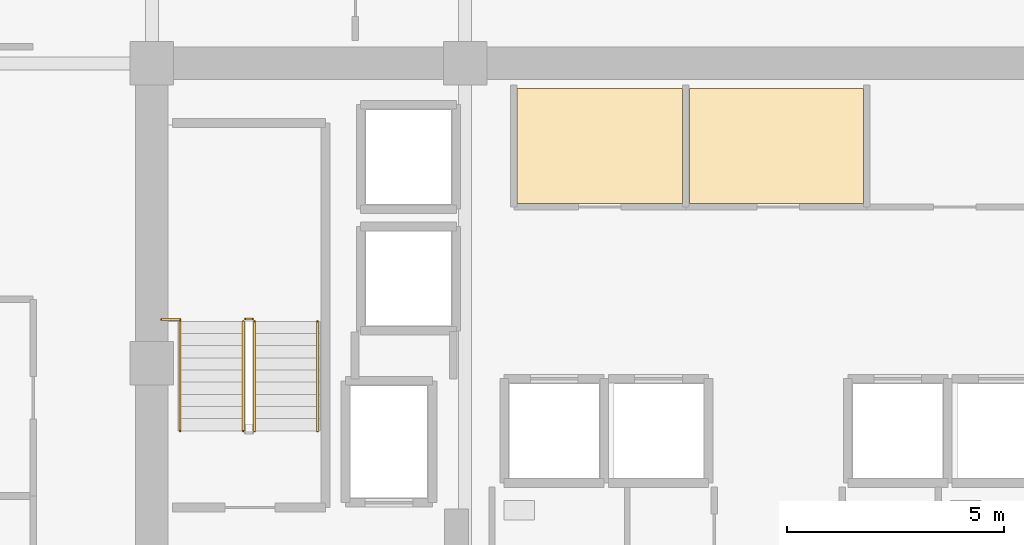
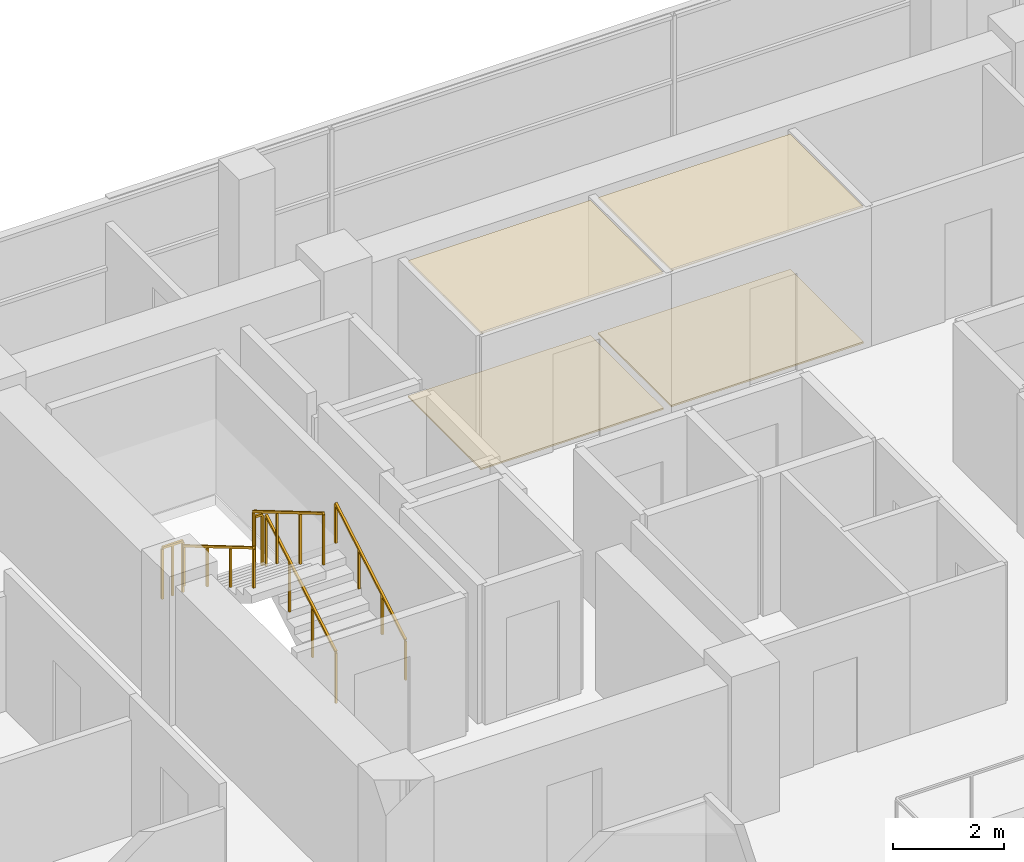
# One storey, part 20 of 22: 6 railings, 4 coverings.
"""IFC4 building model written with IfcOpenShell, lengths in metres."""

from ifc_helpers import new_model, si_unit, direction, frame, origin, origin_2d, place, context, subcontext, project, spatial, polyline, rectangle, outline, extrude, material, layer, layer_set, type_object, element, save


model = new_model("IFC4")

# Units and contexts
model_context = context("Model", 3, precision=1e-05, world=origin(), true_north=direction((0.0, 1.0)))
body_context = subcontext(model_context, "Body", "Model", "MODEL_VIEW")
ifc_project = project(units=[si_unit("LENGTHUNIT", "METRE"), si_unit("AREAUNIT", "SQUARE_METRE"), si_unit("VOLUMEUNIT", "CUBIC_METRE"), si_unit("PLANEANGLEUNIT", "RADIAN"), si_unit("MASSUNIT", "GRAM", prefix="KILO")], contexts=[model_context])

# Site, building, storey
site_placement = place(None, origin())
site = spatial("IfcSite", under=ifc_project, at=site_placement, CompositionType="ELEMENT")
building_placement = place(site_placement, origin())
building = spatial("IfcBuilding", under=site, at=building_placement, Name="Zarnakvel Exchange Tower", CompositionType="ELEMENT")
storey_placement = place(building_placement, frame((0.0, 0.0, 195.699951171875)))
storey = spatial("IfcBuildingStorey", under=building, at=storey_placement, Name="L55", CompositionType="ELEMENT", Elevation=195.699951171875)

# Coverings
ifc_material_1 = material(Name="Perforated Bronze Acoustic Metal Ceiling", Category="aluminium")
ifc_layer_1 = layer(ifc_material_1, 0.02001953125)
ifc_layer_set_1 = layer_set([ifc_layer_1], Name="Perforated Bronze Acoustic Metal Ceiling")
covering_type_1 = type_object("IfcCoveringType", Name="CLG-01", PredefinedType="CEILING", material=ifc_layer_set_1)
covering_1_placement = place(storey_placement, frame((0.0, 0.0, 2.989990234375)))
element("IfcCovering", 1, at=covering_1_placement, inside=storey, type_object=covering_type_1, Name="L55 Suspended Acoustic Ceiling (Clearing Records Office)", PredefinedType="CEILING", context=body_context, shape_type="SweptSolid", body=[
    extrude(outline(polyline([(-6.0, 12.919921875), (-2.199951171875, 12.919921875), (-2.199951171875, 10.280029296875), (-6.0, 10.280029296875), (-6.0, 12.919921875)])), origin(), (0.0, 0.0, 1.0), 0.02001953125),
])
covering_2_placement = place(storey_placement, frame((0.0, 0.0, 2.989990234375)))
element("IfcCovering", 2, at=covering_2_placement, inside=storey, type_object=covering_type_1, Name="L55 Suspended Acoustic Ceiling (Brokerage Filing Room)", PredefinedType="CEILING", context=body_context, shape_type="SweptSolid", body=[
    extrude(outline(polyline([(-2.0400390625, 12.919921875), (1.9599609375, 12.919921875), (1.9599609375, 10.280029296875), (-2.0400390625, 10.280029296875), (-2.0400390625, 12.919921875)])), origin(), (0.0, 0.0, 1.0), 0.02001953125),
])
ifc_material_2 = material(Name="Heavy-Duty Raised Access Floor Panel", Category="steel")
ifc_layer_2 = layer(ifc_material_2, 0.034912109375)
ifc_layer_set_2 = layer_set([ifc_layer_2], Name="Heavy-Duty Raised Access Floor Panel")
covering_type_2 = type_object("IfcCoveringType", Name="FLR-02", PredefinedType="FLOORING", material=ifc_layer_set_2)
covering_3_placement = place(storey_placement, origin())
element("IfcCovering", 3, at=covering_3_placement, inside=storey, type_object=covering_type_2, Name="L55 Floor Finish (Clearing Records Office)", PredefinedType="FLOORING", context=body_context, shape_type="SweptSolid", body=[
    extrude(outline(polyline([(-6.0, 12.919921875), (-2.199951171875, 12.919921875), (-2.199951171875, 10.280029296875), (-6.0, 10.280029296875), (-6.0, 12.919921875)])), origin(), (0.0, 0.0, 1.0), 0.03515625),
])
covering_4_placement = place(storey_placement, origin())
element("IfcCovering", 4, at=covering_4_placement, inside=storey, type_object=covering_type_2, Name="L55 Floor Finish (Brokerage Filing Room)", PredefinedType="FLOORING", context=body_context, shape_type="SweptSolid", body=[
    extrude(outline(polyline([(-2.0400390625, 12.919921875), (1.9599609375, 12.919921875), (1.9599609375, 10.280029296875), (-2.0400390625, 10.280029296875), (-2.0400390625, 12.919921875)])), origin(), (0.0, 0.0, 1.0), 0.03515625),
])

# Railings
ifc_material_3 = material(Name="Brushed Stainless Steel", Category="steel")
railing_type_1 = type_object("IfcRailingType", Name="HR-01", PredefinedType="HANDRAIL", material=ifc_material_3)
railing_1_placement = place(storey_placement, frame((-10.590087890625, 5.050048828125, 0.1650390625)))
element("IfcRailing", 5, at=railing_1_placement, inside=storey, type_object=railing_type_1, Name="L55 ST-01 stair handrail 1", PredefinedType="HANDRAIL", context=body_context, shape_type="SweptSolid", body=[
    extrude(rectangle(XDim=0.048095703125, YDim=0.048095703125, at=origin_2d()), frame((0.0, 0.0, 0.8759765625), z_axis=(0.0, 0.86152411907, 0.507716645641), x_axis=(-1.0, 0.0, 0.0)), (0.0, 0.0, 1.0), 2.925048828125),
    extrude(rectangle(XDim=0.0419921875, YDim=0.0419921875, at=origin_2d()), origin(), (0.0, 0.0, 1.0), 0.851806640625),
    extrude(rectangle(XDim=0.0419921875, YDim=0.0419921875, at=origin_2d()), frame((0.0, 0.840087890625, 0.4951171875)), (0.0, 0.0, 1.0), 0.851806640625),
    extrude(rectangle(XDim=0.0419921875, YDim=0.0419921875, at=origin_2d()), frame((0.0, 1.679931640625, 0.989990234375)), (0.0, 0.0, 1.0), 0.851806640625),
    extrude(rectangle(XDim=0.0419921875, YDim=0.0419921875, at=origin_2d()), frame((0.0, 2.52001953125, 1.485107421875)), (0.0, 0.0, 1.0), 0.851806640625),
])
railing_2_placement = place(storey_placement, frame((-13.75, 7.570068359375, 1.81494140625)))
element("IfcRailing", 6, at=railing_2_placement, inside=storey, type_object=railing_type_1, Name="L55 ST-01 stair handrail 2", PredefinedType="HANDRAIL", context=body_context, shape_type="SweptSolid", body=[
    extrude(rectangle(XDim=0.048095703125, YDim=0.048095703125, at=origin_2d()), frame((0.0, 0.0, 0.8759765625), z_axis=(0.0, -0.86152411907, 0.507716645641), x_axis=(1.0, 0.0, 0.0)), (0.0, 0.0, 1.0), 2.925048828125),
    extrude(rectangle(XDim=0.0419921875, YDim=0.0419921875, at=origin_2d()), origin(), (0.0, 0.0, 1.0), 0.851806640625),
    extrude(rectangle(XDim=0.0419921875, YDim=0.0419921875, at=origin_2d()), frame((0.0, -0.840087890625, 0.4951171875)), (0.0, 0.0, 1.0), 0.851806640625),
    extrude(rectangle(XDim=0.0419921875, YDim=0.0419921875, at=origin_2d()), frame((0.0, -1.679931640625, 0.989990234375)), (0.0, 0.0, 1.0), 0.851806640625),
    extrude(rectangle(XDim=0.0419921875, YDim=0.0419921875, at=origin_2d()), frame((0.0, -2.52001953125, 1.485107421875)), (0.0, 0.0, 1.0), 0.851806640625),
])
ifc_material_4 = material(Name="Architectural Bronze Anodised Aluminium", Category="aluminium")
railing_type_2 = type_object("IfcRailingType", Name="SG-01", PredefinedType="GUARDRAIL", material=ifc_material_4)
railing_3_placement = place(storey_placement, frame((-12.0400390625, 5.050048828125, 0.1650390625)))
element("IfcRailing", 7, at=railing_3_placement, inside=storey, type_object=railing_type_2, Name="L55 ST-01 stair guard 1", PredefinedType="GUARDRAIL", context=body_context, shape_type="SweptSolid", body=[
    extrude(rectangle(XDim=0.048095703125, YDim=0.048095703125, at=origin_2d()), frame((0.0, 0.0, 1.1259765625), z_axis=(0.0, 0.86152411907, 0.507716645641), x_axis=(-1.0, 0.0, 0.0)), (0.0, 0.0, 1.0), 2.925048828125),
    extrude(rectangle(XDim=0.0419921875, YDim=0.0419921875, at=origin_2d()), origin(), (0.0, 0.0, 1.0), 1.101806640625),
    extrude(rectangle(XDim=0.0419921875, YDim=0.0419921875, at=origin_2d()), frame((0.0, 0.840087890625, 0.4951171875)), (0.0, 0.0, 1.0), 1.101806640625),
    extrude(rectangle(XDim=0.0419921875, YDim=0.0419921875, at=origin_2d()), frame((0.0, 1.679931640625, 0.989990234375)), (0.0, 0.0, 1.0), 1.101806640625),
    extrude(rectangle(XDim=0.0419921875, YDim=0.0419921875, at=origin_2d()), frame((0.0, 2.52001953125, 1.485107421875)), (0.0, 0.0, 1.0), 1.101806640625),
])
railing_4_placement = place(storey_placement, frame((-12.090087890625, 7.6201171875, 1.650146484375)))
element("IfcRailing", 8, at=railing_4_placement, inside=storey, type_object=railing_type_2, Name="L55 ST-01 stair guard 2", PredefinedType="GUARDRAIL", context=body_context, shape_type="SweptSolid", body=[
    extrude(rectangle(XDim=0.048095703125, YDim=0.048095703125, at=origin_2d()), frame((0.0, 0.0, 1.1259765625), z_axis=(-1.0, 0.0, 0.0), x_axis=(0.0, -1.0, 0.0)), (0.0, 0.0, 1.0), 0.159912109375),
    extrude(rectangle(XDim=0.0419921875, YDim=0.0419921875, at=origin_2d()), origin(), (0.0, 0.0, 1.0), 1.101806640625),
    extrude(rectangle(XDim=0.0419921875, YDim=0.0419921875, at=origin_2d()), frame((-0.159912109375, 0.0, 0.0)), (0.0, 0.0, 1.0), 1.101806640625),
])
railing_5_placement = place(storey_placement, frame((-12.300048828125, 7.570068359375, 1.81494140625)))
element("IfcRailing", 9, at=railing_5_placement, inside=storey, type_object=railing_type_2, Name="L55 ST-01 stair guard 3", PredefinedType="GUARDRAIL", context=body_context, shape_type="SweptSolid", body=[
    extrude(rectangle(XDim=0.048095703125, YDim=0.048095703125, at=origin_2d()), frame((0.0, 0.0, 1.1259765625), z_axis=(0.0, -0.86152411907, 0.507716645641), x_axis=(1.0, 0.0, 0.0)), (0.0, 0.0, 1.0), 2.925048828125),
    extrude(rectangle(XDim=0.0419921875, YDim=0.0419921875, at=origin_2d()), origin(), (0.0, 0.0, 1.0), 1.101806640625),
    extrude(rectangle(XDim=0.0419921875, YDim=0.0419921875, at=origin_2d()), frame((0.0, -0.840087890625, 0.4951171875)), (0.0, 0.0, 1.0), 1.101806640625),
    extrude(rectangle(XDim=0.0419921875, YDim=0.0419921875, at=origin_2d()), frame((0.0, -1.679931640625, 0.989990234375)), (0.0, 0.0, 1.0), 1.101806640625),
    extrude(rectangle(XDim=0.0419921875, YDim=0.0419921875, at=origin_2d()), frame((0.0, -2.52001953125, 1.485107421875)), (0.0, 0.0, 1.0), 1.101806640625),
])
railing_6_placement = place(storey_placement, frame((-14.179931640625, 7.610107421875, 1.650146484375)))
element("IfcRailing", 10, at=railing_6_placement, inside=storey, type_object=railing_type_2, Name="L55 ST-01 Landing Slot Guardrail", PredefinedType="GUARDRAIL", context=body_context, shape_type="SweptSolid", body=[
    extrude(rectangle(XDim=0.048095703125, YDim=0.048095703125, at=origin_2d()), frame((0.0, 0.0, 1.1259765625), z_axis=(1.0, 0.0, 0.0), x_axis=(0.0, 1.0, 0.0)), (0.0, 0.0, 1.0), 0.429931640625),
    extrude(rectangle(XDim=0.0419921875, YDim=0.0419921875, at=origin_2d()), origin(), (0.0, 0.0, 1.0), 1.101806640625),
    extrude(rectangle(XDim=0.0419921875, YDim=0.0419921875, at=origin_2d()), frame((0.21484375, 0.0, 0.0)), (0.0, 0.0, 1.0), 1.101806640625),
    extrude(rectangle(XDim=0.0419921875, YDim=0.0419921875, at=origin_2d()), frame((0.429931640625, 0.0, 0.0)), (0.0, 0.0, 1.0), 1.101806640625),
])

save(model, "model.ifc")
